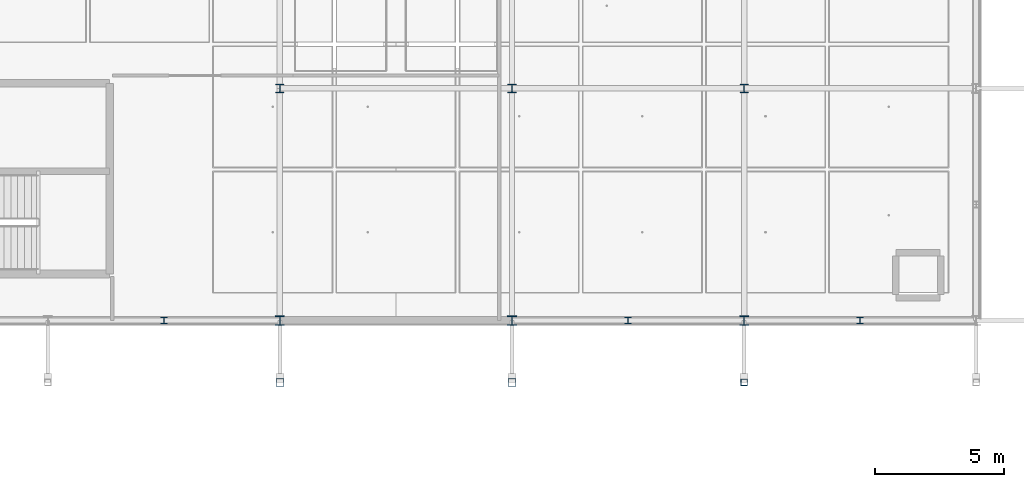
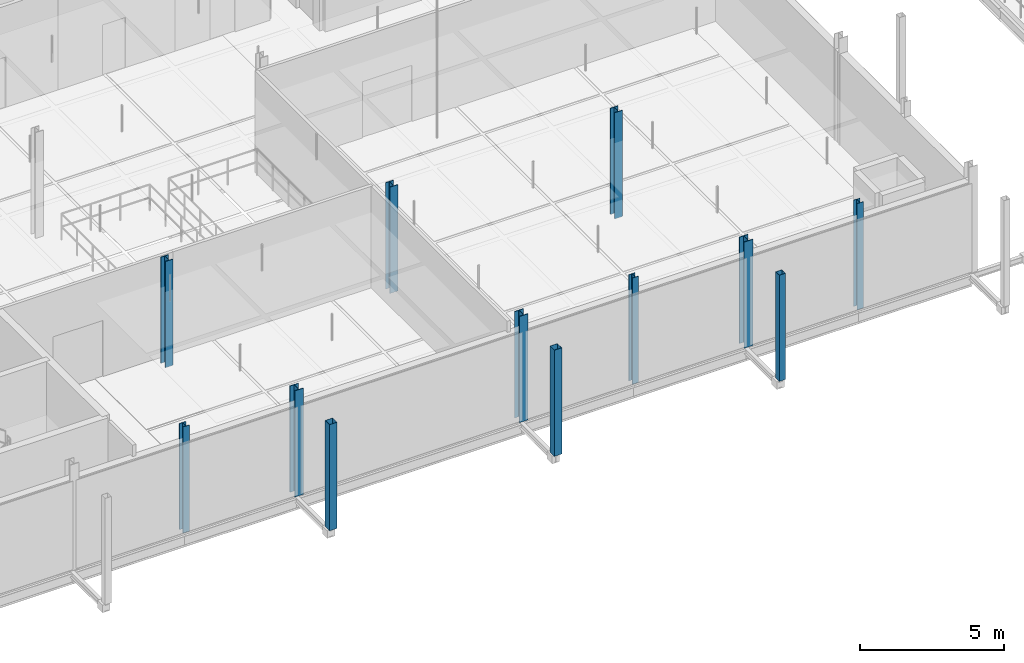
# One storey, part 5 of 89: 12 columns.
"""IFC4 building model written with IfcOpenShell, lengths in metres."""

from ifc_helpers import new_model, si_unit, direction, frame, origin, origin_2d, place, context, subcontext, project, spatial, hollow_rectangle, i_section, extrude, material, material_profile, profile_set, type_object, element, save


model = new_model("IFC4")

# Units and contexts
model_context = context("Model", 3, precision=1e-05, world=origin(), true_north=direction((0.0, 1.0)))
body_context = subcontext(model_context, "Body", "Model", "MODEL_VIEW")
ifc_project = project(units=[si_unit("LENGTHUNIT", "METRE"), si_unit("AREAUNIT", "SQUARE_METRE"), si_unit("VOLUMEUNIT", "CUBIC_METRE"), si_unit("PLANEANGLEUNIT", "RADIAN"), si_unit("MASSUNIT", "GRAM", prefix="KILO"), si_unit("THERMODYNAMICTEMPERATUREUNIT", "KELVIN"), si_unit("POWERUNIT", "WATT")], contexts=[model_context])

# Site, building, storey
site_placement = place(None, origin())
site = spatial("IfcSite", under=ifc_project, at=site_placement, CompositionType="ELEMENT")
building_placement = place(site_placement, origin())
building = spatial("IfcBuilding", under=site, at=building_placement, Name="Tallowbark Science Centre", CompositionType="ELEMENT")
storey_placement = place(building_placement, frame((0.0, 0.0, 14.39990234375)))
storey = spatial("IfcBuildingStorey", under=building, at=storey_placement, Name="L03", CompositionType="ELEMENT", Elevation=14.39990234375)

# Columns
ifc_material_1 = material(Name="White Architectural Painted Steel Grade C350L0 (350 MPa)", Category="steel")
ifc_material_profile_1 = material_profile(ifc_material_1, hollow_rectangle(XDim=0.25, YDim=0.25, WallThickness=0.009033203125, at=origin_2d()), Name="250x250x9.0SHS")
ifc_profile_set_1 = profile_set([ifc_material_profile_1], Name="White Architectural Painted Steel Grade C350L0 (350 MPa)")
column_type_1 = type_object("IfcColumnType", Name="COL-SCR200", PredefinedType="COLUMN", material=ifc_profile_set_1)
column_placement = place(storey_placement, frame((94.5, 2.10009765625, 0.0), z_axis=(0.0, 0.0, 1.0), x_axis=(1.0, 0.0, 0.0)))
element("IfcColumn", 1, at=column_placement, inside=storey, type_object=column_type_1, Name="Column SCR-S05 L03", PredefinedType="COLUMN", context=body_context, shape_type="SweptSolid", body=[
    extrude(hollow_rectangle(XDim=0.25, YDim=0.25, WallThickness=0.009033203125, at=origin_2d()), origin(), (0.0, 0.0, 1.0), 4.5),
])
ifc_material_profile_2 = material_profile(ifc_material_1, hollow_rectangle(XDim=0.300048828125, YDim=0.300048828125, WallThickness=0.010009765625, at=origin_2d()), Name="300x300x10.0SHS")
ifc_profile_set_2 = profile_set([ifc_material_profile_2], Name="White Architectural Painted Steel Grade C350L0 (350 MPa)")
column_type_2 = type_object("IfcColumnType", Name="COL-SCR300", PredefinedType="COLUMN", material=ifc_profile_set_2)
for number, where, z_axis, x_axis, name in (
    (2, (76.5, 2.10009765625, 0.0), (0.0, 0.0, 1.0), (1.0, 0.0, 0.0), "Column SCR-S03 L03"),
    (3, (85.5, 2.10009765625, 0.0), (0.0, 0.0, 1.0), (1.0, 0.0, 0.0), "Column SCR-S04 L03"),
):
    element("IfcColumn", number, at=place(storey_placement, frame(where, z_axis=z_axis, x_axis=x_axis)), inside=storey, type_object=column_type_2, Name=name, PredefinedType="COLUMN", context=body_context, shape_type="SweptSolid", body=[
        extrude(hollow_rectangle(XDim=0.300048828125, YDim=0.300048828125, WallThickness=0.010009765625, at=origin_2d()), origin(), (0.0, 0.0, 1.0), 4.5),
    ])
ifc_material_2 = material(Name="Structural Steel Grade 300PLUS (300 MPa)", Category="steel")
ifc_material_profile_3 = material_profile(ifc_material_2, i_section(OverallWidth=0.311279296875, OverallDepth=0.3271484375, WebThickness=0.015625, FlangeThickness=0.02490234375, FilletRadius=0.0166015625, at=origin_2d()), Name="310UC158")
ifc_profile_set_3 = profile_set([ifc_material_profile_3], Name="Structural Steel Grade 300PLUS (300 MPa)")
column_type_3 = type_object("IfcColumnType", Name="COL-UC310A", PredefinedType="COLUMN", material=ifc_profile_set_3)
for number, where, z_axis, x_axis, name in (
    (4, (76.5, 13.5, 0.0), (0.0, 0.0, 1.0), (1.0, 0.0, 0.0), "Column CUB-M2_1 L03"),
    (5, (85.5, 13.5, 0.0), (0.0, 0.0, 1.0), (1.0, 0.0, 0.0), "Column CUB-M3_1 L03"),
    (6, (94.5, 13.5, 0.0), (0.0, 0.0, 1.0), (1.0, 0.0, 0.0), "Column CUB-M4_1 L03"),
):
    element("IfcColumn", number, at=place(storey_placement, frame(where, z_axis=z_axis, x_axis=x_axis)), inside=storey, type_object=column_type_3, Name=name, PredefinedType="COLUMN", context=body_context, shape_type="SweptSolid", body=[
        extrude(i_section(OverallWidth=0.311279296875, OverallDepth=0.3271484375, WebThickness=0.015625, FlangeThickness=0.02490234375, FilletRadius=0.0166015625, at=origin_2d()), origin(), (0.0, 0.0, 1.0), 4.5),
    ])
ifc_material_profile_4 = material_profile(ifc_material_2, i_section(OverallWidth=0.35009765625, OverallDepth=0.35888671875, WebThickness=0.01611328125, FlangeThickness=0.02392578125, FilletRadius=0.013916015625, at=origin_2d()), Name="350WC197")
ifc_profile_set_4 = profile_set([ifc_material_profile_4], Name="Structural Steel Grade 300PLUS (300 MPa)")
column_type_4 = type_object("IfcColumnType", Name="COL-WC350", PredefinedType="COLUMN", material=ifc_profile_set_4)
for number, where, z_axis, x_axis, name in (
    (7, (76.5, 4.5, 0.0), (0.0, 0.0, 1.0), (1.0, 0.0, 0.0), "Column CUB-M2_0 L03"),
    (8, (85.5, 4.5, 0.0), (0.0, 0.0, 1.0), (1.0, 0.0, 0.0), "Column CUB-M3_0 L03"),
    (9, (94.5, 4.5, 0.0), (0.0, 0.0, 1.0), (1.0, 0.0, 0.0), "Column CUB-M4_0 L03"),
):
    element("IfcColumn", number, at=place(storey_placement, frame(where, z_axis=z_axis, x_axis=x_axis)), inside=storey, type_object=column_type_4, Name=name, PredefinedType="COLUMN", context=body_context, shape_type="SweptSolid", body=[
        extrude(i_section(OverallWidth=0.35009765625, OverallDepth=0.35888671875, WebThickness=0.01611328125, FlangeThickness=0.02392578125, FilletRadius=0.013916015625, at=origin_2d()), origin(), (0.0, 0.0, 1.0), 4.5),
    ])
ifc_material_profile_5 = material_profile(ifc_material_2, i_section(OverallWidth=0.256103515625, OverallDepth=0.260009765625, WebThickness=0.010498046875, FlangeThickness=0.017333984375, FilletRadius=0.013916015625, at=origin_2d()), Name="250UC89.5")
ifc_profile_set_5 = profile_set([ifc_material_profile_5], Name="Structural Steel Grade 300PLUS (300 MPa)")
column_type_5 = type_object("IfcColumnType", Name="PIL-UC250", PredefinedType="PILASTER", material=ifc_profile_set_5)
for number, where, z_axis, x_axis, name in (
    (10, (72.0, 4.5, 0.0), (0.0, 0.0, 1.0), (1.0, 0.0, 0.0), "Column CUB-PS-1 L03"),
    (11, (90.0, 4.5, 0.0), (0.0, 0.0, 1.0), (1.0, 0.0, 0.0), "Column CUB-PS-3 L03"),
    (12, (99.0, 4.5, 0.0), (0.0, 0.0, 1.0), (1.0, 0.0, 0.0), "Column CUB-PS-4 L03"),
):
    element("IfcColumn", number, at=place(storey_placement, frame(where, z_axis=z_axis, x_axis=x_axis)), inside=storey, type_object=column_type_5, Name=name, PredefinedType="PILASTER", context=body_context, shape_type="SweptSolid", body=[
        extrude(i_section(OverallWidth=0.256103515625, OverallDepth=0.260009765625, WebThickness=0.010498046875, FlangeThickness=0.017333984375, FilletRadius=0.013916015625, at=origin_2d()), origin(), (0.0, 0.0, 1.0), 4.5),
    ])

save(model, "model.ifc")
